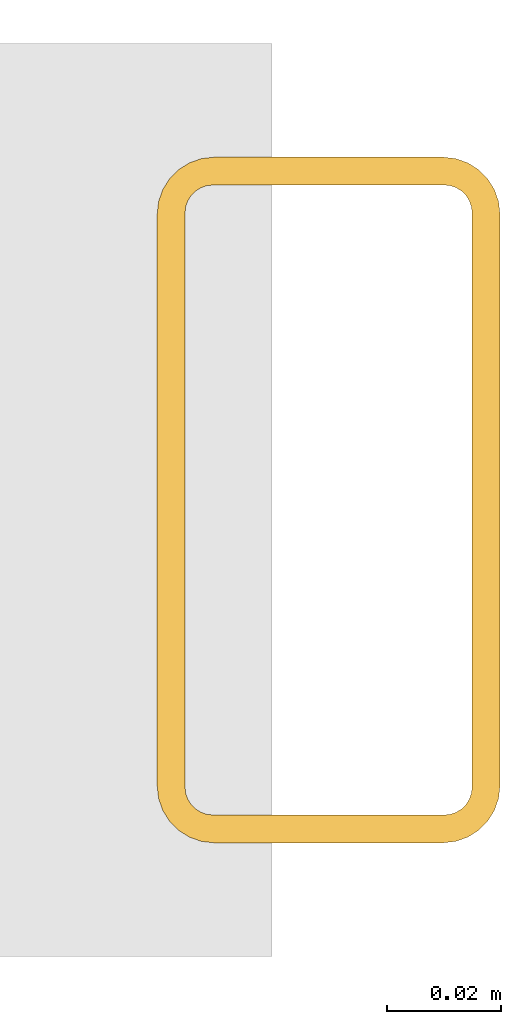
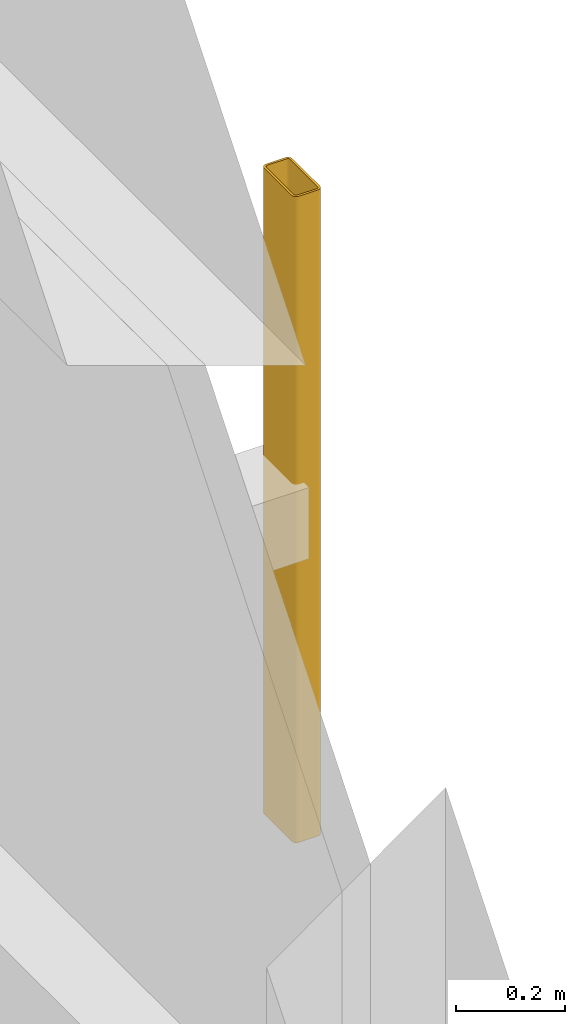
# One storey, part 102 of 109: 1 shading device.
"""IFC4 building model written with IfcOpenShell, lengths in metres."""

from ifc_helpers import new_model, si_unit, derived_unit, direction, frame, origin, origin_2d, place, context, subcontext, project, spatial, hollow_rectangle, extrude, material, material_profile, profile_set, type_object, element, save


model = new_model("IFC4")

# Units and contexts
model_context = context("Model", 3, precision=1e-05, world=origin(), true_north=direction((0.0, 1.0)))
body_context = subcontext(model_context, "Body", "Model", "MODEL_VIEW")
ifc_project = project(units=[si_unit("LENGTHUNIT", "METRE"), si_unit("AREAUNIT", "SQUARE_METRE"), si_unit("VOLUMEUNIT", "CUBIC_METRE"), si_unit("PLANEANGLEUNIT", "RADIAN"), si_unit("MASSUNIT", "GRAM", prefix="KILO"), derived_unit("THERMALTRANSMITTANCEUNIT", [(si_unit("MASSUNIT", "GRAM", prefix="KILO"), 1), (si_unit("TIMEUNIT", "SECOND"), -3), (si_unit("THERMODYNAMICTEMPERATUREUNIT", "KELVIN"), -1)])], contexts=[model_context])

# Site, building, storey
site_placement = place(None, origin())
site = spatial("IfcSite", under=ifc_project, at=site_placement, CompositionType="ELEMENT")
building_placement = place(site_placement, origin())
building = spatial("IfcBuilding", under=site, at=building_placement, Name="Kharveza Railside Sports Centre", CompositionType="ELEMENT")
storey_placement = place(building_placement, frame((0.0, 0.0, 4.5)))
storey = spatial("IfcBuildingStorey", under=building, at=storey_placement, Name="L01", CompositionType="ELEMENT", Elevation=4.5)

# Shading device
ifc_material = material(Name="Anodised aluminium 6063-T6", Category="aluminium")
ifc_material_profile = material_profile(ifc_material, hollow_rectangle(XDim=0.06005859375, YDim=0.1201171875, WallThickness=0.0048828125, InnerFilletRadius=0.0048828125, OuterFilletRadius=0.010009765625, at=origin_2d()), Name="RHS 60x120x5.0")
ifc_profile_set = profile_set([ifc_material_profile], Name="Anodised aluminium 6063-T6")
shading_device_type = type_object("IfcShadingDeviceType", Name="SD-LV01", PredefinedType="JALOUSIE", material=ifc_profile_set)
shading_device_placement = place(storey_placement, frame((168.469970703125, 61.199951171875, 0.85009765625), z_axis=(0.0, 0.0, 1.0), x_axis=(1.0, 0.0, 0.0)))
element("IfcShadingDevice", 1, at=shading_device_placement, inside=storey, type_object=shading_device_type, Name="SD-FIN-044", PredefinedType="JALOUSIE", context=body_context, shape_type="SweptSolid", body=[
    extrude(hollow_rectangle(XDim=0.06005859375, YDim=0.1201171875, WallThickness=0.0048828125, InnerFilletRadius=0.0048828125, OuterFilletRadius=0.010009765625, at=origin_2d()), origin(), (0.0, 0.0, 1.0), 1.449951171875),
])

save(model, "model.ifc")
